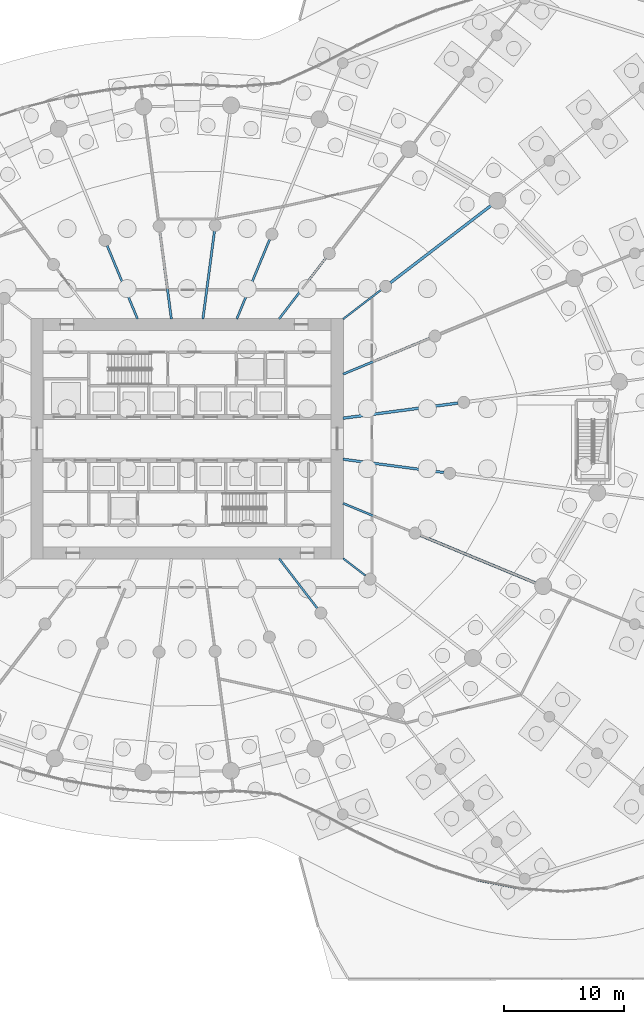
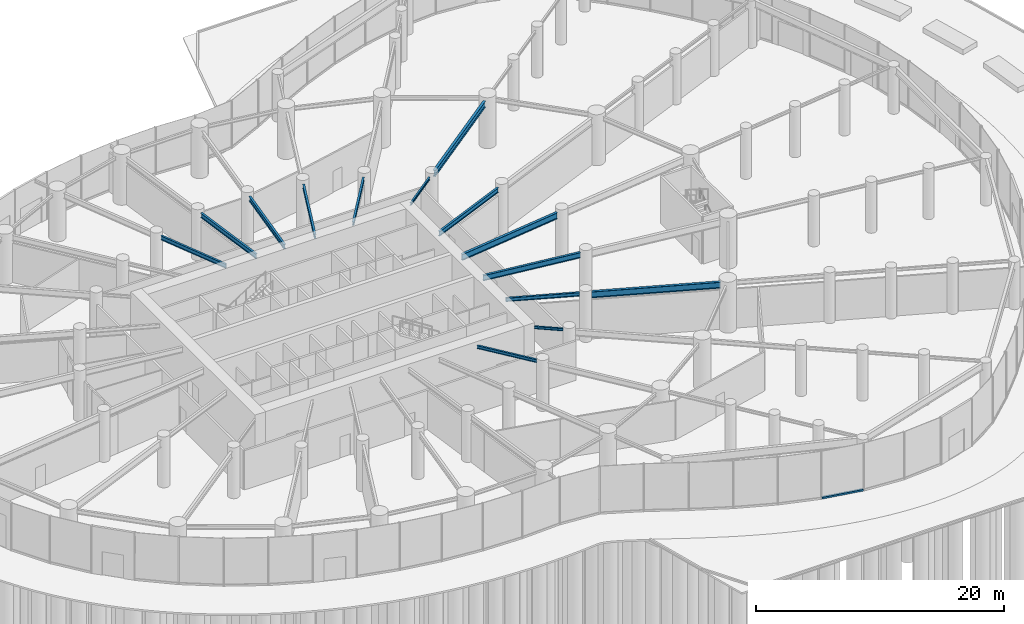
# One storey, part 8 of 28: 14 beams, 1 member, 1 element without a shape of its own.
"""IFC4 building model written with IfcOpenShell, lengths in metres."""

from ifc_helpers import new_model, si_unit, direction, frame, origin, origin_2d, place, context, subcontext, project, spatial, rectangle, i_section, extrude, source, transform, mapped, material, layer, layer_set, material_profile, profile_set, type_object, element, aggregate, save


model = new_model("IFC4")

# Units and contexts
model_context = context("Model", 3, precision=1e-05, world=origin(), true_north=direction((0.0, 1.0)))
body_context = subcontext(model_context, "Body", "Model", "MODEL_VIEW")
ifc_project = project(units=[si_unit("LENGTHUNIT", "METRE"), si_unit("AREAUNIT", "SQUARE_METRE"), si_unit("VOLUMEUNIT", "CUBIC_METRE"), si_unit("PLANEANGLEUNIT", "RADIAN"), si_unit("MASSUNIT", "GRAM", prefix="KILO")], contexts=[model_context])

# Site, building, storey
site_placement = place(None, origin())
site = spatial("IfcSite", under=ifc_project, at=site_placement, CompositionType="ELEMENT")
building_placement = place(site_placement, origin())
building = spatial("IfcBuilding", under=site, at=building_placement, Name="Spindrift Exchange Tower", CompositionType="ELEMENT")
storey_placement = place(building_placement, origin())
storey = spatial("IfcBuildingStorey", under=building, at=storey_placement, Name="L00", CompositionType="ELEMENT", Elevation=0.0)

# Beams
ifc_material_1 = material(Name="Steel Grade 300", Category="steel")
ifc_material_profile_1 = material_profile(ifc_material_1, i_section(OverallWidth=0.22802734375, OverallDepth=0.60693359375, WebThickness=0.01123046875, FlangeThickness=0.017333984375, FilletRadius=0.013916015625, at=origin_2d()), Name="610UB113")
ifc_profile_set_1 = profile_set([ifc_material_profile_1], Name="Steel Grade 300")
beam_type_1 = type_object("IfcBeamType", Name="Floor Beam 610UB113 Steel Grade 300", PredefinedType="BEAM", material=ifc_profile_set_1)
shared_shape_1 = source(origin(), body_context, "Body", "SweptSolid", [
    extrude(i_section(OverallWidth=0.22802734375, OverallDepth=0.60693359375, WebThickness=0.01123046875, FlangeThickness=0.017333984375, FilletRadius=0.013916015625, at=origin_2d()), origin(), (0.0, 0.0, 1.0), 9.660400390625),
])
beam_1_placement = place(storey_placement, frame((64.980224609375, 49.708984375, 4.346435546875), z_axis=(0.99144767089, 0.130504850054, 0.0), x_axis=(-0.130504850054, 0.99144767089, 0.0)))
element("IfcBeam", 1, at=beam_1_placement, inside=storey, type_object=beam_type_1, Name="L00 radial beam R01A", PredefinedType="BEAM", context=body_context, shape_type="MappedRepresentation", body=[
    mapped(shared_shape_1, transform((0.0, 0.0, 0.0), scale=1.0)),
])
ifc_material_profile_2 = material_profile(ifc_material_1, i_section(OverallWidth=0.18994140625, OverallDepth=0.45703125, WebThickness=0.009033203125, FlangeThickness=0.014404296875, FilletRadius=0.013916015625, at=origin_2d()), Name="460UB74.6")
ifc_profile_set_2 = profile_set([ifc_material_profile_2], Name="Steel Grade 300")
beam_type_2 = type_object("IfcBeamType", Name="Floor Beam 460UB74.6 Steel Grade 300", PredefinedType="BEAM", material=ifc_profile_set_2)
shared_shape_2 = source(origin(), body_context, "Body", "SweptSolid", [
    extrude(i_section(OverallWidth=0.18994140625, OverallDepth=0.45703125, WebThickness=0.009033203125, FlangeThickness=0.014404296875, FilletRadius=0.013916015625, at=origin_2d()), origin(), (0.0, 0.0, 1.0), 7.808837890625),
])
beam_2_placement = place(storey_placement, frame((64.9814453125, 53.377197265625, 4.42138671875), z_axis=(0.92387965154, 0.382683145003, 0.0), x_axis=(-0.382683145003, 0.92387965154, 0.0)))
element("IfcBeam", 2, at=beam_2_placement, inside=storey, type_object=beam_type_2, Name="L00 radial beam R02A", PredefinedType="BEAM", context=body_context, shape_type="MappedRepresentation", body=[
    mapped(shared_shape_2, transform((0.0, 0.0, 0.0), scale=1.0)),
])
ifc_material_profile_3 = material_profile(ifc_material_1, i_section(OverallWidth=0.14599609375, OverallDepth=0.251953125, WebThickness=0.006103515625, FlangeThickness=0.008544921875, FilletRadius=0.011962890625, at=origin_2d()), Name="250UB31.4")
ifc_profile_set_3 = profile_set([ifc_material_profile_3], Name="Steel Grade 300")
beam_type_3 = type_object("IfcBeamType", Name="Floor Beam 250UB31.4 Steel Grade 300", PredefinedType="BEAM", material=ifc_profile_set_3)
shared_shape_3 = source(origin(), body_context, "Body", "SweptSolid", [
    extrude(i_section(OverallWidth=0.14599609375, OverallDepth=0.251953125, WebThickness=0.006103515625, FlangeThickness=0.008544921875, FilletRadius=0.011962890625, at=origin_2d()), origin(), (0.0, 0.0, 1.0), 3.99560546875),
])
beam_3_placement = place(storey_placement, frame((64.984130859375, 57.963134765625, 4.52392578125), z_axis=(0.793352561574, 0.608762443851, 0.0), x_axis=(-0.608762443851, 0.793352561574, 0.0)))
element("IfcBeam", 3, at=beam_3_placement, inside=storey, type_object=beam_type_3, Name="L00 radial beam R03A", PredefinedType="BEAM", context=body_context, shape_type="MappedRepresentation", body=[
    mapped(shared_shape_3, transform((0.0, 0.0, 0.0), scale=1.0)),
])
shared_shape_4 = source(origin(), body_context, "Body", "SweptSolid", [
    extrude(i_section(OverallWidth=0.22802734375, OverallDepth=0.60693359375, WebThickness=0.01123046875, FlangeThickness=0.017333984375, FilletRadius=0.013916015625, at=origin_2d()), origin(), (0.0, 0.0, 1.0), 10.66357421875),
])
beam_4_placement = place(storey_placement, frame((68.91552734375, 60.979736328125, 4.346435546875), z_axis=(0.793357926757, 0.608755451764, 0.0), x_axis=(-0.608755451764, 0.793357926757, 0.0)))
element("IfcBeam", 4, at=beam_4_placement, inside=storey, type_object=beam_type_1, Name="L00 radial beam R03B", PredefinedType="BEAM", context=body_context, shape_type="MappedRepresentation", body=[
    mapped(shared_shape_4, transform((0.0, 0.0, 0.0), scale=1.0)),
])
ifc_material_profile_4 = material_profile(ifc_material_1, i_section(OverallWidth=0.172119140625, OverallDepth=0.35888671875, WebThickness=0.008056640625, FlangeThickness=0.012939453125, FilletRadius=0.013916015625, at=origin_2d()), Name="360UB56.7")
ifc_profile_set_4 = profile_set([ifc_material_profile_4], Name="Steel Grade 300")
beam_type_4 = type_object("IfcBeamType", Name="Floor Beam 360UB56.7 Steel Grade 300", PredefinedType="BEAM", material=ifc_profile_set_4)
shared_shape_5 = source(origin(), body_context, "Body", "SweptSolid", [
    extrude(i_section(OverallWidth=0.172119140625, OverallDepth=0.35888671875, WebThickness=0.008056640625, FlangeThickness=0.012939453125, FilletRadius=0.013916015625, at=origin_2d()), origin(), (0.0, 0.0, 1.0), 6.37646484375),
])
beam_5_placement = place(storey_placement, frame((59.6611328125, 57.984130859375, 4.470458984375), z_axis=(0.608766669952, 0.793349318747, 0.0), x_axis=(-0.793349318747, 0.608766669952, 0.0)))
element("IfcBeam", 5, at=beam_5_placement, inside=storey, type_object=beam_type_4, Name="L00 radial beam R04A", PredefinedType="BEAM", context=body_context, shape_type="MappedRepresentation", body=[
    mapped(shared_shape_5, transform((0.0, 0.0, 0.0), scale=1.0)),
])
ifc_material_profile_5 = material_profile(ifc_material_1, i_section(OverallWidth=0.177978515625, OverallDepth=0.406005859375, WebThickness=0.0078125, FlangeThickness=0.0126953125, FilletRadius=0.013916015625, at=origin_2d()), Name="410UB59.7")
ifc_profile_set_5 = profile_set([ifc_material_profile_5], Name="Steel Grade 300")
beam_type_5 = type_object("IfcBeamType", Name="Floor Beam 410UB59.7 Steel Grade 300", PredefinedType="BEAM", material=ifc_profile_set_5)
shared_shape_6 = source(origin(), body_context, "Body", "SweptSolid", [
    extrude(i_section(OverallWidth=0.177978515625, OverallDepth=0.406005859375, WebThickness=0.0078125, FlangeThickness=0.0126953125, FilletRadius=0.013916015625, at=origin_2d()), origin(), (0.0, 0.0, 1.0), 7.150634765625),
])
beam_6_placement = place(storey_placement, frame((56.134521484375, 57.9814453125, 4.447021484375), z_axis=(0.382665393358, 0.923887004306, 0.0), x_axis=(-0.923887004306, 0.382665393358, 0.0)))
element("IfcBeam", 6, at=beam_6_placement, inside=storey, type_object=beam_type_5, Name="L00 radial beam R05A", PredefinedType="BEAM", context=body_context, shape_type="MappedRepresentation", body=[
    mapped(shared_shape_6, transform((0.0, 0.0, 0.0), scale=1.0)),
])
shared_shape_7 = source(origin(), body_context, "Body", "SweptSolid", [
    extrude(i_section(OverallWidth=0.18994140625, OverallDepth=0.45703125, WebThickness=0.009033203125, FlangeThickness=0.014404296875, FilletRadius=0.013916015625, at=origin_2d()), origin(), (0.0, 0.0, 1.0), 7.374267578125),
])
beam_7_placement = place(storey_placement, frame((53.31396484375, 57.980224609375, 4.42138671875), z_axis=(0.130539295622, 0.99144313619, 0.0), x_axis=(-0.99144313619, 0.130539295622, 0.0)))
element("IfcBeam", 7, at=beam_7_placement, inside=storey, type_object=beam_type_2, Name="L00 radial beam R06A", PredefinedType="BEAM", context=body_context, shape_type="MappedRepresentation", body=[
    mapped(shared_shape_7, transform((0.0, 0.0, 0.0), scale=1.0)),
])
shared_shape_8 = source(origin(), body_context, "Body", "SweptSolid", [
    extrude(i_section(OverallWidth=0.18994140625, OverallDepth=0.45703125, WebThickness=0.009033203125, FlangeThickness=0.014404296875, FilletRadius=0.013916015625, at=origin_2d()), origin(), (0.0, 0.0, 1.0), 7.3095703125),
])
beam_8_placement = place(storey_placement, frame((50.68603515625, 57.980224609375, 4.42138671875), z_axis=(-0.130527087244, 0.991444743541, 0.0), x_axis=(-0.991444743541, -0.130527087244, 0.0)))
element("IfcBeam", 8, at=beam_8_placement, inside=storey, type_object=beam_type_2, Name="L00 radial beam R07A", PredefinedType="BEAM", context=body_context, shape_type="MappedRepresentation", body=[
    mapped(shared_shape_8, transform((0.0, 0.0, 0.0), scale=1.0)),
])
shared_shape_9 = source(origin(), body_context, "Body", "SweptSolid", [
    extrude(i_section(OverallWidth=0.177978515625, OverallDepth=0.406005859375, WebThickness=0.0078125, FlangeThickness=0.0126953125, FilletRadius=0.013916015625, at=origin_2d()), origin(), (0.0, 0.0, 1.0), 6.594482421875),
])
beam_9_placement = place(storey_placement, frame((47.865478515625, 57.9814453125, 4.447021484375), z_axis=(-0.382692929746, 0.92387559851, 0.0), x_axis=(-0.92387559851, -0.382692929746, 0.0)))
element("IfcBeam", 9, at=beam_9_placement, inside=storey, type_object=beam_type_5, Name="L00 radial beam R08A", PredefinedType="BEAM", context=body_context, shape_type="MappedRepresentation", body=[
    mapped(shared_shape_9, transform((0.0, 0.0, 0.0), scale=1.0)),
])
ifc_material_profile_6 = material_profile(ifc_material_1, i_section(OverallWidth=0.1650390625, OverallDepth=0.303955078125, WebThickness=0.006103515625, FlangeThickness=0.01025390625, FilletRadius=0.011474609375, at=origin_2d()), Name="310UB40.4")
ifc_profile_set_6 = profile_set([ifc_material_profile_6], Name="Steel Grade 300")
beam_type_6 = type_object("IfcBeamType", Name="Floor Beam 310UB40.4 Steel Grade 300", PredefinedType="BEAM", material=ifc_profile_set_6)
shared_shape_10 = source(origin(), body_context, "Body", "SweptSolid", [
    extrude(i_section(OverallWidth=0.1650390625, OverallDepth=0.303955078125, WebThickness=0.006103515625, FlangeThickness=0.01025390625, FilletRadius=0.011474609375, at=origin_2d()), origin(), (0.0, 0.0, 1.0), 5.224609375),
])
beam_10_placement = place(storey_placement, frame((59.6611328125, 38.015869140625, 4.498046875), z_axis=(0.608741499316, -0.793368632485, 0.0), x_axis=(0.793368632485, 0.608741499316, 0.0)))
element("IfcBeam", 10, at=beam_10_placement, inside=storey, type_object=beam_type_6, Name="L00 radial beam R21A", PredefinedType="BEAM", context=body_context, shape_type="MappedRepresentation", body=[
    mapped(shared_shape_10, transform((0.0, 0.0, 0.0), scale=1.0)),
])
shared_shape_11 = source(origin(), body_context, "Body", "SweptSolid", [
    extrude(i_section(OverallWidth=0.14599609375, OverallDepth=0.251953125, WebThickness=0.006103515625, FlangeThickness=0.008544921875, FilletRadius=0.011962890625, at=origin_2d()), origin(), (0.0, 0.0, 1.0), 2.353759765625),
])
beam_11_placement = place(storey_placement, frame((64.984130859375, 38.036865234375, 4.52392578125), z_axis=(0.793367573265, -0.608742879787, 0.0), x_axis=(0.608742879787, 0.793367573265, 0.0)))
element("IfcBeam", 11, at=beam_11_placement, inside=storey, type_object=beam_type_3, Name="L00 radial beam R22A", PredefinedType="BEAM", context=body_context, shape_type="MappedRepresentation", body=[
    mapped(shared_shape_11, transform((0.0, 0.0, 0.0), scale=1.0)),
])
shared_shape_12 = source(origin(), body_context, "Body", "SweptSolid", [
    extrude(i_section(OverallWidth=0.172119140625, OverallDepth=0.35888671875, WebThickness=0.008056640625, FlangeThickness=0.012939453125, FilletRadius=0.013916015625, at=origin_2d()), origin(), (0.0, 0.0, 1.0), 6.004638671875),
])
beam_12_placement = place(storey_placement, frame((64.9814453125, 42.622802734375, 4.470458984375), z_axis=(0.923882044911, -0.38267736684, 0.0), x_axis=(0.38267736684, 0.923882044911, 0.0)))
element("IfcBeam", 12, at=beam_12_placement, inside=storey, type_object=beam_type_4, Name="L00 radial beam R23A", PredefinedType="BEAM", context=body_context, shape_type="MappedRepresentation", body=[
    mapped(shared_shape_12, transform((0.0, 0.0, 0.0), scale=1.0)),
])
shared_shape_13 = source(origin(), body_context, "Body", "SweptSolid", [
    extrude(i_section(OverallWidth=0.22802734375, OverallDepth=0.60693359375, WebThickness=0.01123046875, FlangeThickness=0.017333984375, FilletRadius=0.013916015625, at=origin_2d()), origin(), (0.0, 0.0, 1.0), 10.4912109375),
])
beam_13_placement = place(storey_placement, frame((71.416015625, 39.95751953125, 4.346435546875), z_axis=(0.923885231151, -0.382669674342, 0.0), x_axis=(0.382669674342, 0.923885231151, 0.0)))
element("IfcBeam", 13, at=beam_13_placement, inside=storey, type_object=beam_type_1, Name="L00 radial beam R23B", PredefinedType="BEAM", context=body_context, shape_type="MappedRepresentation", body=[
    mapped(shared_shape_13, transform((0.0, 0.0, 0.0), scale=1.0)),
])
ifc_material_profile_7 = material_profile(ifc_material_1, i_section(OverallWidth=0.208984375, OverallDepth=0.532958984375, WebThickness=0.01025390625, FlangeThickness=0.015625, FilletRadius=0.013916015625, at=origin_2d()), Name="530UB92.4")
ifc_profile_set_7 = profile_set([ifc_material_profile_7], Name="Steel Grade 300")
beam_type_7 = type_object("IfcBeamType", Name="Floor Beam 530UB92.4 Steel Grade 300", PredefinedType="BEAM", material=ifc_profile_set_7)
shared_shape_14 = source(origin(), body_context, "Body", "SweptSolid", [
    extrude(i_section(OverallWidth=0.208984375, OverallDepth=0.532958984375, WebThickness=0.01025390625, FlangeThickness=0.015625, FilletRadius=0.013916015625, at=origin_2d()), origin(), (0.0, 0.0, 1.0), 8.4794921875),
])
beam_14_placement = place(storey_placement, frame((64.980224609375, 46.291015625, 4.383544921875), z_axis=(0.991446551951, -0.13051335037, 0.0), x_axis=(0.13051335037, 0.991446551951, 0.0)))
element("IfcBeam", 14, at=beam_14_placement, inside=storey, type_object=beam_type_7, Name="L00 radial beam R24A", PredefinedType="BEAM", context=body_context, shape_type="MappedRepresentation", body=[
    mapped(shared_shape_14, transform((0.0, 0.0, 0.0), scale=1.0)),
])

# Curtain wall, member
ifc_material_2 = material(Name="Fritted laminated glass with bronze frame", Category="glass")
ifc_layer = layer(ifc_material_2, 0.219970703125)
ifc_layer_set = layer_set([ifc_layer], Name="PODIUM BRONZE GLAZED WALL")
curtain_wall_type = type_object("IfcCurtainWallType", Name="PODIUM BRONZE GLAZED WALL", PredefinedType="NOTDEFINED", material=ifc_layer_set)
curtain_wall_placement = place(storey_placement, origin())
curtain_wall = element("IfcCurtainWall", 15, at=curtain_wall_placement, inside=storey, type_object=curtain_wall_type, Name="L00 Podium Bronze Glazed Wall run 11", PredefinedType="NOTDEFINED")
ifc_material_3 = material(Name="Bronze anodised aluminium", Category="aluminium")
ifc_material_profile_8 = material_profile(ifc_material_3, rectangle(XDim=0.199951171875, YDim=0.159912109375, at=origin_2d()), Name="PODIUM BRONZE GLAZED WALL TRANSOM 200X160")
ifc_profile_set_8 = profile_set([ifc_material_profile_8], Name="Bronze anodised aluminium")
member_type = type_object("IfcMemberType", Name="PODIUM BRONZE GLAZED WALL TRANSOM 200X160", PredefinedType="USERDEFINED", material=ifc_profile_set_8)
shared_shape_15 = source(origin(), body_context, "Body", "SweptSolid", [
    extrude(rectangle(XDim=0.199951171875, YDim=0.159912109375, at=origin_2d()), origin(), (0.0, 0.0, 1.0), 3.51123046875),
])
member_placement = place(storey_placement, frame((76.236083984375, 11.24267578125, 0.080078125), z_axis=(0.980714158437, -0.19544753629, 0.0), x_axis=(0.19544753629, 0.980714158437, 0.0)))
member = element("IfcMember", 16, at=member_placement, type_object=member_type, Name="L00 transom CW-P.61", ObjectType="TRANSOM", PredefinedType="USERDEFINED", context=body_context, shape_type="MappedRepresentation", body=[
    mapped(shared_shape_15, transform((0.0, 0.0, 0.0), scale=1.0)),
])
aggregate(curtain_wall, [member])

save(model, "model.ifc")
